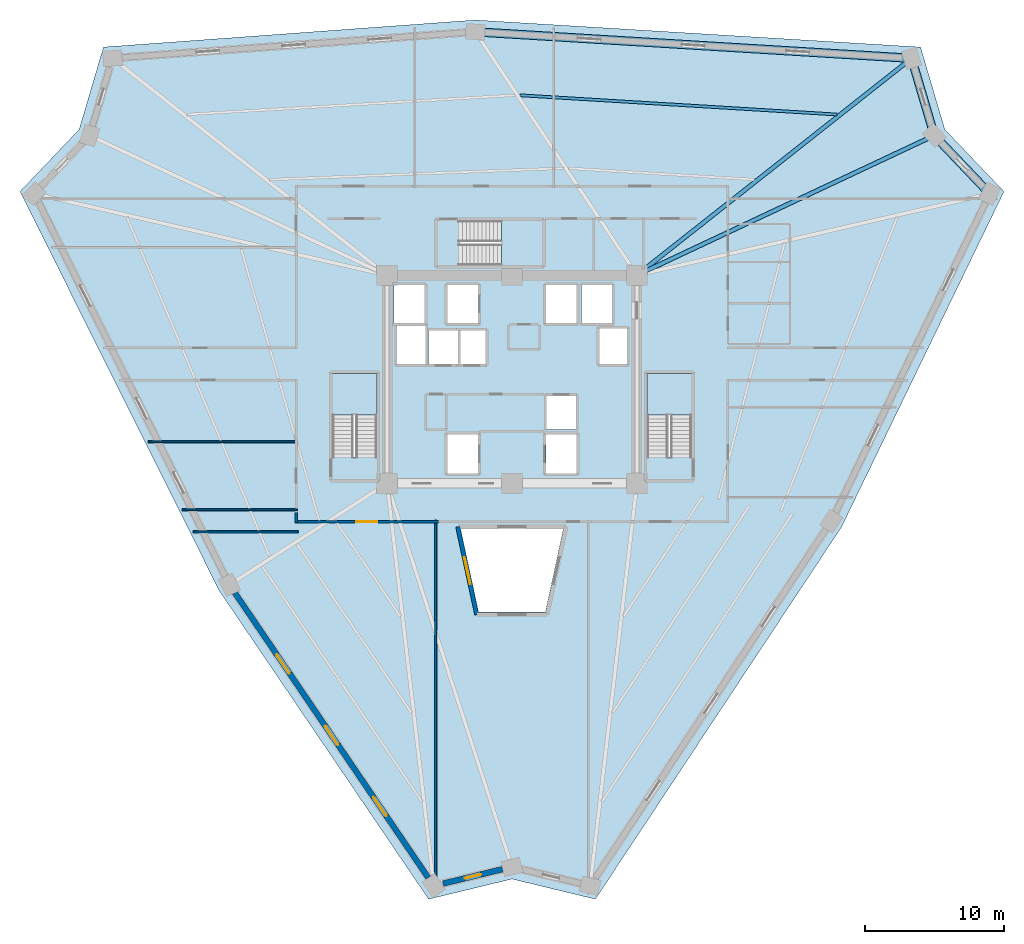
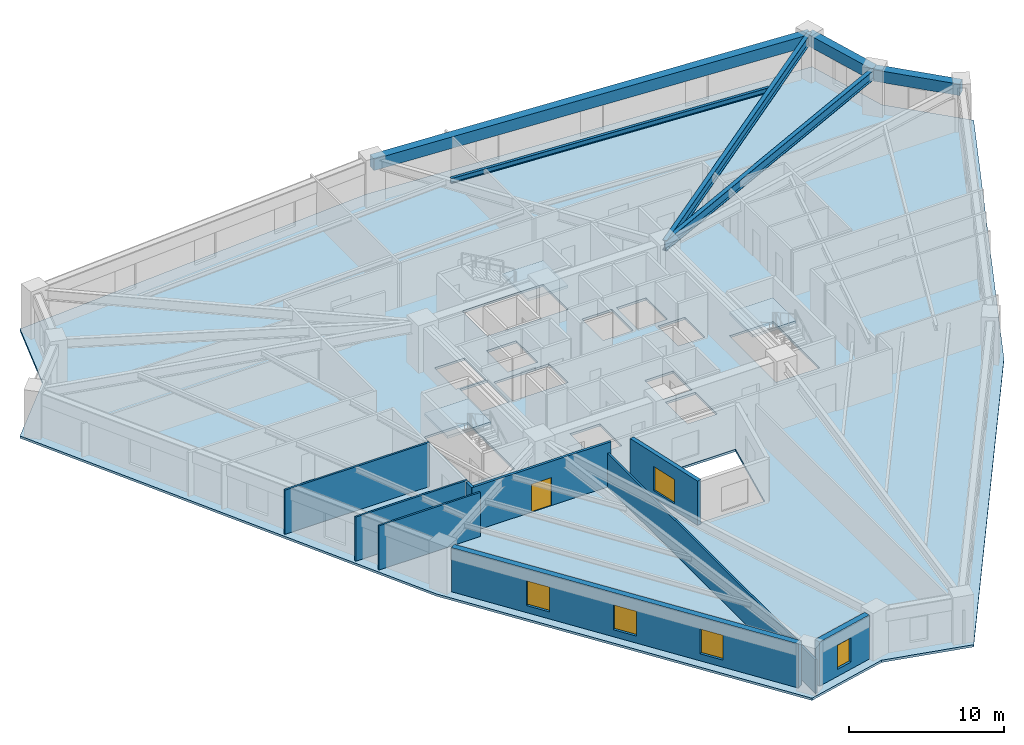
# One storey, part 2 of 8: 9 walls, 6 beams, 5 windows, 4 slabs, 1 door, 6 openings, 3 elements without a shape of their own.
"""IFC4 building model written with IfcOpenShell, lengths in metres."""

from ifc_helpers import new_model, si_unit, direction, frame, frame_2d, origin, origin_2d, place, context, subcontext, project, spatial, polyline, rectangle, i_section, outline, extrude, source, transform, mapped, material, layer, layer_set, material_profile, profile_set, type_object, element, fill, aggregate, save


model = new_model("IFC4")

# Units and contexts
model_context = context("Model", 3, precision=1e-05, world=origin(), true_north=direction((0.0, 1.0)))
body_context = subcontext(model_context, "Body", "Model", "MODEL_VIEW")
ifc_project = project(units=[si_unit("LENGTHUNIT", "METRE"), si_unit("AREAUNIT", "SQUARE_METRE"), si_unit("VOLUMEUNIT", "CUBIC_METRE"), si_unit("PLANEANGLEUNIT", "RADIAN"), si_unit("MASSUNIT", "GRAM", prefix="KILO")], contexts=[model_context])

# Site, building, storey
site_placement = place(None, origin())
site = spatial("IfcSite", under=ifc_project, at=site_placement, CompositionType="ELEMENT")
building_placement = place(site_placement, origin())
building = spatial("IfcBuilding", under=site, at=building_placement, Name="Liaohun Quay Tower", CompositionType="ELEMENT")
storey_placement = place(building_placement, frame((0.0, 0.0, 181.5)))
storey = spatial("IfcBuildingStorey", under=building, at=storey_placement, Name="L47", CompositionType="ELEMENT", Elevation=181.5)

# Beams
ifc_material_1 = material(Name="Steel Q355D", Category="steel")
ifc_material_profile_1 = material_profile(ifc_material_1, i_section(OverallWidth=0.300048828125, OverallDepth=0.75, WebThickness=0.013916015625, FlangeThickness=0.02587890625, at=origin_2d()), Name="HN750x300x14x26")
ifc_profile_set_1 = profile_set([ifc_material_profile_1], Name="Steel Q355D")
beam_type_1 = type_object("IfcBeamType", Name="BM-RAD-M2", PredefinedType="BEAM", material=ifc_profile_set_1)
shared_shape_1 = source(origin(), body_context, "Body", "SweptSolid", [
    extrude(i_section(OverallWidth=0.300048828125, OverallDepth=0.75, WebThickness=0.013916015625, FlangeThickness=0.02587890625, at=origin_2d()), origin(), (0.0, 0.0, 1.0), 23.674072265625),
])
beam_1_placement = place(storey_placement, frame((69.0, 61.5, 3.094970703125), z_axis=(0.905085425075, 0.42522978884, 0.0), x_axis=(-0.42522978884, 0.905085425075, 0.0)))
element("IfcBeam", 1, at=beam_1_placement, inside=storey, type_object=beam_type_1, Name="L47 Radial Primary Girder CC4-PC08", PredefinedType="BEAM", context=body_context, shape_type="MappedRepresentation", body=[
    mapped(shared_shape_1, transform((0.0, 0.0, 0.0), x_axis=(1.0, 0.0, 0.0), y_axis=(0.0, 1.0, 0.0), z_axis=(0.0, 0.0, 1.0), scale=1.0)),
])
ifc_material_profile_2 = material_profile(ifc_material_1, i_section(OverallWidth=0.300048828125, OverallDepth=0.800048828125, WebThickness=0.013916015625, FlangeThickness=0.02587890625, at=origin_2d()), Name="HN800x300x14x26")
ifc_profile_set_2 = profile_set([ifc_material_profile_2], Name="Steel Q355D")
beam_type_2 = type_object("IfcBeamType", Name="BM-RAD-M1", PredefinedType="BEAM", material=ifc_profile_set_2)
shared_shape_2 = source(origin(), body_context, "Body", "SweptSolid", [
    extrude(i_section(OverallWidth=0.300048828125, OverallDepth=0.800048828125, WebThickness=0.013916015625, FlangeThickness=0.02587890625, at=origin_2d()), origin(), (0.0, 0.0, 1.0), 25.212646484375),
])
beam_2_placement = place(storey_placement, frame((69.0, 61.5, 3.070068359375), z_axis=(0.784847071692, 0.6196894981, 0.0), x_axis=(-0.6196894981, 0.784847071692, 0.0)))
element("IfcBeam", 2, at=beam_2_placement, inside=storey, type_object=beam_type_2, Name="L47 Radial Primary Girder CC4-PC07", PredefinedType="BEAM", context=body_context, shape_type="MappedRepresentation", body=[
    mapped(shared_shape_2, transform((0.0, 0.0, 0.0), x_axis=(1.0, 0.0, 0.0), y_axis=(0.0, 1.0, 0.0), z_axis=(0.0, 0.0, 1.0), scale=1.0)),
])
ifc_material_profile_3 = material_profile(ifc_material_1, i_section(OverallWidth=0.199951171875, OverallDepth=0.39990234375, WebThickness=0.008056640625, FlangeThickness=0.012939453125, at=origin_2d()), Name="HN400x200x8x13")
ifc_profile_set_3 = profile_set([ifc_material_profile_3], Name="Steel Q355D")
beam_type_3 = type_object("IfcBeamType", Name="BM-SEC-J2", PredefinedType="JOIST", material=ifc_profile_set_3)
shared_shape_3 = source(origin(), body_context, "Body", "SweptSolid", [
    extrude(i_section(OverallWidth=0.199951171875, OverallDepth=0.39990234375, WebThickness=0.008056640625, FlangeThickness=0.012939453125, at=origin_2d()), origin(), (0.0, 0.0, 1.0), 22.88916015625),
])
beam_3_placement = place(storey_placement, frame((60.571044921875, 74.462890625, 3.27001953125), z_axis=(0.998159840222, -0.060637722312, 0.0), x_axis=(0.060637722312, 0.998159840222, 0.0)))
element("IfcBeam", 3, at=beam_3_placement, inside=storey, type_object=beam_type_3, Name="L47 Wing Secondary Floor Joist SJ-09", PredefinedType="JOIST", context=body_context, shape_type="MappedRepresentation", body=[
    mapped(shared_shape_3, transform((0.0, 0.0, 0.0), x_axis=(1.0, 0.0, 0.0), y_axis=(0.0, 1.0, 0.0), z_axis=(0.0, 0.0, 1.0), scale=1.0)),
])
ifc_material_2 = material(Name="Precast concrete C55", Category="concrete")
ifc_material_profile_4 = material_profile(ifc_material_2, rectangle(XDim=0.60009765625, YDim=0.89990234375, at=origin_2d()), Name="RC600x900")
ifc_profile_set_4 = profile_set([ifc_material_profile_4], Name="Precast concrete C55")
beam_type_4 = type_object("IfcBeamType", Name="BM-SPD-Z2", PredefinedType="SPANDREL", material=ifc_profile_set_4)
shared_shape_4 = source(origin(), body_context, "Body", "SweptSolid", [
    extrude(rectangle(XDim=0.60009765625, YDim=0.89990234375, at=origin_2d()), origin(), (0.0, 0.0, 1.0), 31.489990234375),
])
beam_4_placement = place(storey_placement, frame((57.35595703125, 79.032958984375, 3.02001953125), z_axis=(0.998160898974, -0.060620291652, 0.0), x_axis=(0.060620291652, 0.998160898974, 0.0)))
element("IfcBeam", 4, at=beam_4_placement, inside=storey, type_object=beam_type_4, Name="L47 Precast Spandrel Beam PC06-PC07", PredefinedType="SPANDREL", context=body_context, shape_type="MappedRepresentation", body=[
    mapped(shared_shape_4, transform((0.0, 0.0, 0.0), x_axis=(1.0, 0.0, 0.0), y_axis=(0.0, 1.0, 0.0), z_axis=(0.0, 0.0, 1.0), scale=1.0)),
])
shared_shape_5 = source(origin(), body_context, "Body", "SweptSolid", [
    extrude(rectangle(XDim=0.60009765625, YDim=0.89990234375, at=origin_2d()), origin(), (0.0, 0.0, 1.0), 5.793701171875),
])
beam_5_placement = place(storey_placement, frame((88.7880859375, 77.1240234375, 3.02001953125), z_axis=(0.282875757191, -0.959156559688, 0.0), x_axis=(0.959156559688, 0.282875757191, 0.0)))
element("IfcBeam", 5, at=beam_5_placement, inside=storey, type_object=beam_type_4, Name="L47 Precast Spandrel Beam PC07-PC08", PredefinedType="SPANDREL", context=body_context, shape_type="MappedRepresentation", body=[
    mapped(shared_shape_5, transform((0.0, 0.0, 0.0), x_axis=(1.0, 0.0, 0.0), y_axis=(0.0, 1.0, 0.0), z_axis=(0.0, 0.0, 1.0), scale=1.0)),
])
shared_shape_6 = source(origin(), body_context, "Body", "SweptSolid", [
    extrude(rectangle(XDim=0.60009765625, YDim=0.89990234375, at=origin_2d()), origin(), (0.0, 0.0, 1.0), 5.800048828125),
])
beam_6_placement = place(storey_placement, frame((90.427001953125, 71.56689453125, 3.02001953125), z_axis=(0.689314548472, -0.724462182081, 0.0), x_axis=(0.724462182081, 0.689314548472, 0.0)))
element("IfcBeam", 6, at=beam_6_placement, inside=storey, type_object=beam_type_4, Name="L47 Precast Spandrel Beam PC08-PC09", PredefinedType="SPANDREL", context=body_context, shape_type="MappedRepresentation", body=[
    mapped(shared_shape_6, transform((0.0, 0.0, 0.0), x_axis=(1.0, 0.0, 0.0), y_axis=(0.0, 1.0, 0.0), z_axis=(0.0, 0.0, 1.0), scale=1.0)),
])

# Stair, slab
ifc_material_3 = material(Name="Concrete C45", Category="concrete")
stair_type = type_object("IfcStairType", Name="STR-CORE-OFF", PredefinedType="HALF_TURN_STAIR", material=ifc_material_3)
stair_1_placement = place(storey_placement, origin())
stair_1 = element("IfcStair", 7, at=stair_1_placement, inside=storey, type_object=stair_type, Name="L47 Smokeproof Core Exit Stair ST-1", PredefinedType="HALF_TURN_STAIR")
ifc_layer_1 = layer(ifc_material_3, 0.199951171875, Name="Concrete C45", Category="concrete")
ifc_layer_set_1 = layer_set([ifc_layer_1], Name="Concrete C45")
slab_type_1 = type_object("IfcSlabType", Name="SLB-LND-200", PredefinedType="LANDING", material=ifc_layer_set_1)
slab_1_placement = place(storey_placement, frame((0.0, 0.0, 1.675048828125)))
slab_1 = element("IfcSlab", 8, at=slab_1_placement, type_object=slab_type_1, Name="ST-1 landing 1", PredefinedType="LANDING", context=body_context, shape_type="SweptSolid", body=[
    extrude(outline(polyline([(50.280029296875, 51.429931640625), (50.280029296875, 54.419921875), (47.0400390625, 54.419921875), (47.0400390625, 51.429931640625), (50.280029296875, 51.429931640625)])), origin(), (0.0, 0.0, 1.0), 0.199951171875),
])
aggregate(stair_1, [slab_1])

stair_2_placement = place(storey_placement, origin())
stair_2 = element("IfcStair", 9, at=stair_2_placement, inside=storey, type_object=stair_type, Name="L47 Smokeproof Core Exit Stair ST-2", PredefinedType="HALF_TURN_STAIR")
slab_2_placement = place(storey_placement, frame((0.0, 0.0, 1.675048828125)))
slab_2 = element("IfcSlab", 10, at=slab_2_placement, type_object=slab_type_1, Name="ST-2 landing 1", PredefinedType="LANDING", context=body_context, shape_type="SweptSolid", body=[
    extrude(outline(polyline([(72.9599609375, 51.429931640625), (72.9599609375, 54.419921875), (69.719970703125, 54.419921875), (69.719970703125, 51.429931640625), (72.9599609375, 51.429931640625)])), origin(), (0.0, 0.0, 1.0), 0.199951171875),
])
aggregate(stair_2, [slab_2])

stair_3_placement = place(storey_placement, origin())
stair_3 = element("IfcStair", 11, at=stair_3_placement, inside=storey, type_object=stair_type, Name="L47 Smokeproof Core Exit Stair ST-3", PredefinedType="HALF_TURN_STAIR")
slab_3_placement = place(storey_placement, frame((0.0, 0.0, 1.675048828125)))
slab_3 = element("IfcSlab", 12, at=slab_3_placement, type_object=slab_type_1, Name="ST-3 landing 1", PredefinedType="LANDING", context=body_context, shape_type="SweptSolid", body=[
    extrude(outline(polyline([(59.22998046875, 62.199951171875), (62.219970703125, 62.199951171875), (62.219970703125, 65.43994140625), (59.22998046875, 65.43994140625), (59.22998046875, 62.199951171875)])), origin(), (0.0, 0.0, 1.0), 0.199951171875),
])
aggregate(stair_3, [slab_3])

# Slab
ifc_layer_2 = layer(ifc_material_3, 0.179931640625, Name="Concrete C45", Category="concrete")
ifc_layer_set_2 = layer_set([ifc_layer_2], Name="Concrete C45")
slab_type_2 = type_object("IfcSlabType", Name="SLB-OFF-180", PredefinedType="FLOOR", material=ifc_layer_set_2)
slab_4_placement = place(storey_placement, frame((0.0, 0.0, -0.179931640625)))
element("IfcSlab", 13, at=slab_4_placement, inside=storey, type_object=slab_type_2, Name="L47 Structural Floor Slab", PredefinedType="FLOOR", context=body_context, shape_type="SweptSolid", body=[
    extrude(outline(polyline([(53.989013671875, 16.5400390625), (60.0, 17.991943359375), (66.010986328125, 16.5400390625), (83.741943359375, 43.35205078125), (95.447021484375, 67.52392578125), (91.18408203125, 72.00390625), (89.43505859375, 77.93603515625), (57.35107421875, 79.885009765625), (30.56494140625, 77.93603515625), (28.81591796875, 72.00390625), (24.552978515625, 67.52392578125), (38.906982421875, 38.762939453125), (53.989013671875, 16.5400390625)]), holes=[polyline([(57.56005859375, 50.030029296875), (55.340087890625, 50.030029296875), (55.340087890625, 47.2099609375), (57.56005859375, 47.2099609375), (57.56005859375, 50.030029296875)]), polyline([(50.280029296875, 54.419921875), (47.0400390625, 54.419921875), (47.0400390625, 48.409912109375), (50.280029296875, 48.409912109375), (50.280029296875, 54.419921875)]), polyline([(53.989990234375, 55.090087890625), (58.110107421875, 55.090087890625), (58.110107421875, 57.510009765625), (53.989990234375, 57.510009765625), (53.989990234375, 55.090087890625)]), polyline([(53.760009765625, 55.090087890625), (53.760009765625, 57.909912109375), (51.7099609375, 57.909912109375), (51.7099609375, 55.090087890625), (53.760009765625, 55.090087890625)]), polyline([(53.7099609375, 58.0400390625), (53.7099609375, 60.7900390625), (51.489990234375, 60.7900390625), (51.489990234375, 58.0400390625), (53.7099609375, 58.0400390625)]), polyline([(57.56005859375, 58.0400390625), (57.56005859375, 60.7900390625), (55.340087890625, 60.7900390625), (55.340087890625, 58.0400390625), (57.56005859375, 58.0400390625)]), polyline([(62.219970703125, 62.199951171875), (62.219970703125, 65.43994140625), (56.2099609375, 65.43994140625), (56.2099609375, 62.199951171875), (62.219970703125, 62.199951171875)]), polyline([(62.402099609375, 37.216064453125), (63.696044921875, 43.199951171875), (56.303955078125, 43.199951171875), (57.597900390625, 37.216064453125), (62.402099609375, 37.216064453125)]), polyline([(64.659912109375, 47.2099609375), (64.659912109375, 50.030029296875), (62.43994140625, 50.030029296875), (62.43994140625, 47.2099609375), (64.659912109375, 47.2099609375)]), polyline([(72.9599609375, 54.419921875), (69.719970703125, 54.419921875), (69.719970703125, 48.409912109375), (72.9599609375, 48.409912109375), (72.9599609375, 54.419921875)]), polyline([(64.610107421875, 50.389892578125), (64.610107421875, 52.81005859375), (62.489990234375, 52.81005859375), (62.489990234375, 50.389892578125), (64.610107421875, 50.389892578125)]), polyline([(68.2900390625, 55.090087890625), (68.2900390625, 57.659912109375), (66.2900390625, 57.659912109375), (66.2900390625, 55.090087890625), (68.2900390625, 55.090087890625)]), polyline([(64.659912109375, 58.0400390625), (64.659912109375, 60.7900390625), (62.43994140625, 60.7900390625), (62.43994140625, 58.0400390625), (64.659912109375, 58.0400390625)]), polyline([(67.2099609375, 58.0400390625), (67.2099609375, 60.7900390625), (64.989990234375, 60.7900390625), (64.989990234375, 58.0400390625), (67.2099609375, 58.0400390625)])]), origin(), (0.0, 0.0, 1.0), 0.179931640625),
])

# Wall, opening, window
ifc_material_4 = material(Name="Concrete C50", Category="concrete")
ifc_layer_3 = layer(ifc_material_4, 0.300048828125, Name="Concrete C50", Category="concrete")
ifc_layer_set_3 = layer_set([ifc_layer_3], Name="Concrete C50")
wall_type_1 = type_object("IfcWallType", Name="WAL-ATR-300", PredefinedType="SOLIDWALL", material=ifc_layer_set_3)
wall_1_placement = place(storey_placement, frame((57.4609375, 37.0458984375, 0.0), z_axis=(0.0, 0.0, 1.0), x_axis=(-0.211409755765, 0.977397521568, 0.0)))
wall_1 = element("IfcWall", 14, at=wall_1_placement, inside=storey, type_object=wall_type_1, Name="L47 Atrium Fire Compartment Wall 1", PredefinedType="SOLIDWALL", context=body_context, shape_type="SweptSolid", body=[
    extrude(rectangle(XDim=6.470458984375, YDim=0.300048828125, at=frame_2d((3.2353515625, 0.0))), origin(), (0.0, 0.0, 1.0), 3.469970703125),
])
shared_shape_7 = source(origin(), body_context, "Body", "SweptSolid", [
    extrude(rectangle(XDim=2.0, YDim=1.89990234375, at=frame_2d((1.0, 0.949951171875))), frame((0.0, 0.159912109375, 0.0), z_axis=(0.0, -1.0, 0.0), x_axis=(1.0, 0.0, 0.0)), (0.0, 0.0, 1.0), 0.320068359375),
])
opening_1_placement = place(wall_1_placement, frame((2.235107421875, 0.0, 0.550048828125)))
opening_1 = element("IfcOpeningElement", 15, at=opening_1_placement, cuts=wall_1, Name="Opening W07", PredefinedType="OPENING", context=body_context, shape_type="MappedRepresentation", body=[
    mapped(shared_shape_7, transform((0.0, 0.0, 0.0), x_axis=(1.0, 0.0, 0.0), y_axis=(0.0, 1.0, 0.0), z_axis=(0.0, 0.0, 1.0), scale=1.0)),
])
ifc_material_5 = material(Name="Class A 180-min fire-resistant insulated glazing", Category="glass")
window_type_1 = type_object("IfcWindowType", Name="WIN-ATR-FIR", PartitioningType="DOUBLE_PANEL_VERTICAL", PredefinedType="WINDOW", material=ifc_material_5)
shared_shape_8 = source(origin(), body_context, "Body", "SweptSolid", [
    extrude(rectangle(XDim=2.0, YDim=1.89990234375, at=frame_2d((1.0, 0.949951171875))), frame((0.0, 0.030029296875, 0.0), z_axis=(0.0, -1.0, 0.0), x_axis=(1.0, 0.0, 0.0)), (0.0, 0.0, 1.0), 0.06005859375),
])
window_1_placement = place(opening_1_placement, origin())
window_1 = element("IfcWindow", 16, at=window_1_placement, inside=storey, type_object=window_type_1, Name="L47 Atrium Fire-Resistant Glazing W07-1", OverallHeight=1.89990234375, OverallWidth=2.0, PartitioningType="DOUBLE_PANEL_VERTICAL", PredefinedType="WINDOW", context=body_context, shape_type="MappedRepresentation", body=[
    mapped(shared_shape_8, transform((0.0, 0.0, 0.0), x_axis=(1.0, 0.0, 0.0), y_axis=(0.0, 1.0, 0.0), z_axis=(0.0, 0.0, 1.0), scale=1.0)),
])
fill(opening_1, window_1)

# Wall, openings, windows
ifc_material_6 = material(Name="Precast concrete C50 insulated sandwich", Category="concrete")
ifc_layer_4 = layer(ifc_material_6, 0.419921875, Name="Precast concrete C50 insulated sandwich", Category="concrete")
ifc_layer_set_4 = layer_set([ifc_layer_4], Name="Precast concrete C50 insulated sandwich")
wall_type_2 = type_object("IfcWallType", Name="WAL-EXT-Z12", PredefinedType="SOLIDWALL", material=ifc_layer_set_4)
wall_2_placement = place(storey_placement, frame((40.029052734375, 38.6220703125, 0.0), z_axis=(0.0, 0.0, 1.0), x_axis=(0.561593975114, -0.827412960447, 0.0)))
wall_2 = element("IfcWall", 17, at=wall_2_placement, inside=storey, type_object=wall_type_2, Name="L47 Brutalist Precast Pier Wall 11", PredefinedType="SOLIDWALL", context=body_context, shape_type="SweptSolid", body=[
    extrude(rectangle(XDim=24.8330078125, YDim=0.419921875, at=frame_2d((12.41650390625, 0.0))), origin(), (0.0, 0.0, 1.0), 3.469970703125),
])
shared_shape_9 = source(origin(), body_context, "Body", "SweptSolid", [
    extrude(rectangle(XDim=1.64990234375, YDim=1.949951171875, at=frame_2d((0.824951171875, 0.97509765625))), frame((0.0, 0.219970703125, 0.0), z_axis=(0.0, -1.0, 0.0), x_axis=(1.0, 0.0, 0.0)), (0.0, 0.0, 1.0), 0.43994140625),
])
opening_2_placement = place(wall_2_placement, frame((5.383056640625, 0.0, 0.550048828125)))
opening_2 = element("IfcOpeningElement", 18, at=opening_2_placement, cuts=wall_2, Name="Opening W02", PredefinedType="OPENING", context=body_context, shape_type="MappedRepresentation", body=[
    mapped(shared_shape_9, transform((0.0, 0.0, 0.0), x_axis=(1.0, 0.0, 0.0), y_axis=(0.0, 1.0, 0.0), z_axis=(0.0, 0.0, 1.0), scale=1.0)),
])
opening_3_placement = place(wall_2_placement, frame((11.591064453125, 0.0, 0.550048828125)))
opening_3 = element("IfcOpeningElement", 19, at=opening_3_placement, cuts=wall_2, Name="Opening W02", PredefinedType="OPENING", context=body_context, shape_type="MappedRepresentation", body=[
    mapped(shared_shape_9, transform((0.0, 0.0, 0.0), x_axis=(1.0, 0.0, 0.0), y_axis=(0.0, 1.0, 0.0), z_axis=(0.0, 0.0, 1.0), scale=1.0)),
])
opening_4_placement = place(wall_2_placement, frame((17.800048828125, 0.0, 0.550048828125)))
opening_4 = element("IfcOpeningElement", 20, at=opening_4_placement, cuts=wall_2, Name="Opening W02", PredefinedType="OPENING", context=body_context, shape_type="MappedRepresentation", body=[
    mapped(shared_shape_9, transform((0.0, 0.0, 0.0), x_axis=(1.0, 0.0, 0.0), y_axis=(0.0, 1.0, 0.0), z_axis=(0.0, 0.0, 1.0), scale=1.0)),
])
ifc_material_7 = material(Name="Triple Low-E argon glazing in thermally broken aluminium", Category="aluminium")
window_type_2 = type_object("IfcWindowType", Name="WIN-PUN-Z2", PartitioningType="DOUBLE_PANEL_VERTICAL", PredefinedType="WINDOW", material=ifc_material_7)
shared_shape_10 = source(origin(), body_context, "Body", "SweptSolid", [
    extrude(rectangle(XDim=1.64990234375, YDim=1.949951171875, at=frame_2d((0.824951171875, 0.97509765625))), frame((0.0, 0.030029296875, 0.0), z_axis=(0.0, -1.0, 0.0), x_axis=(1.0, 0.0, 0.0)), (0.0, 0.0, 1.0), 0.06005859375),
])
window_2_placement = place(opening_2_placement, origin())
window_2 = element("IfcWindow", 21, at=window_2_placement, inside=storey, type_object=window_type_2, Name="L47 Recessed Cold-Climate Punched Window 11-1", OverallHeight=1.949951171875, OverallWidth=1.64990234375, PartitioningType="DOUBLE_PANEL_VERTICAL", PredefinedType="WINDOW", context=body_context, shape_type="MappedRepresentation", body=[
    mapped(shared_shape_10, transform((0.0, 0.0, 0.0), x_axis=(1.0, 0.0, 0.0), y_axis=(0.0, 1.0, 0.0), z_axis=(0.0, 0.0, 1.0), scale=1.0)),
])
fill(opening_2, window_2)
window_3_placement = place(opening_3_placement, origin())
window_3 = element("IfcWindow", 22, at=window_3_placement, inside=storey, type_object=window_type_2, Name="L47 Recessed Cold-Climate Punched Window 11-2", OverallHeight=1.949951171875, OverallWidth=1.64990234375, PartitioningType="DOUBLE_PANEL_VERTICAL", PredefinedType="WINDOW", context=body_context, shape_type="MappedRepresentation", body=[
    mapped(shared_shape_10, transform((0.0, 0.0, 0.0), x_axis=(1.0, 0.0, 0.0), y_axis=(0.0, 1.0, 0.0), z_axis=(0.0, 0.0, 1.0), scale=1.0)),
])
fill(opening_3, window_3)
window_4_placement = place(opening_4_placement, origin())
window_4 = element("IfcWindow", 23, at=window_4_placement, inside=storey, type_object=window_type_2, Name="L47 Recessed Cold-Climate Punched Window 11-3", OverallHeight=1.949951171875, OverallWidth=1.64990234375, PartitioningType="DOUBLE_PANEL_VERTICAL", PredefinedType="WINDOW", context=body_context, shape_type="MappedRepresentation", body=[
    mapped(shared_shape_10, transform((0.0, 0.0, 0.0), x_axis=(1.0, 0.0, 0.0), y_axis=(0.0, 1.0, 0.0), z_axis=(0.0, 0.0, 1.0), scale=1.0)),
])
fill(opening_4, window_4)

# Wall, opening, window
wall_3_placement = place(storey_placement, frame((55.032958984375, 17.666015625, 0.0), z_axis=(0.0, 0.0, 1.0), x_axis=(0.972026135821, 0.234872712935, 0.0)))
wall_3 = element("IfcWall", 24, at=wall_3_placement, inside=storey, type_object=wall_type_2, Name="L47 Brutalist Precast Pier Wall 12", PredefinedType="SOLIDWALL", context=body_context, shape_type="SweptSolid", body=[
    extrude(rectangle(XDim=4.419677734375, YDim=0.419921875, at=frame_2d((2.2099609375, 0.0))), origin(), (0.0, 0.0, 1.0), 3.469970703125),
])
shared_shape_11 = source(origin(), body_context, "Body", "SweptSolid", [
    extrude(rectangle(XDim=1.199951171875, YDim=1.89990234375, at=frame_2d((0.60009765625, 0.949951171875))), frame((0.0, 0.219970703125, 0.0), z_axis=(0.0, -1.0, 0.0), x_axis=(1.0, 0.0, 0.0)), (0.0, 0.0, 1.0), 0.43994140625),
])
opening_5_placement = place(wall_3_placement, frame((1.610107421875, 0.0, 0.550048828125)))
opening_5 = element("IfcOpeningElement", 25, at=opening_5_placement, cuts=wall_3, Name="Opening W05", PredefinedType="OPENING", context=body_context, shape_type="MappedRepresentation", body=[
    mapped(shared_shape_11, transform((0.0, 0.0, 0.0), x_axis=(1.0, 0.0, 0.0), y_axis=(0.0, 1.0, 0.0), z_axis=(0.0, 0.0, 1.0), scale=1.0)),
])
ifc_material_8 = material(Name="Triple Low-E corner notch glazing", Category="glass")
window_type_3 = type_object("IfcWindowType", Name="WIN-NOTCH", PartitioningType="SINGLE_PANEL", PredefinedType="WINDOW", material=ifc_material_8)
shared_shape_12 = source(origin(), body_context, "Body", "SweptSolid", [
    extrude(rectangle(XDim=1.199951171875, YDim=1.89990234375, at=frame_2d((0.60009765625, 0.949951171875))), frame((0.0, 0.030029296875, 0.0), z_axis=(0.0, -1.0, 0.0), x_axis=(1.0, 0.0, 0.0)), (0.0, 0.0, 1.0), 0.06005859375),
])
window_5_placement = place(opening_5_placement, origin())
window_5 = element("IfcWindow", 26, at=window_5_placement, inside=storey, type_object=window_type_3, Name="L47 Corner Notch Window W05-12", OverallHeight=1.89990234375, OverallWidth=1.199951171875, PartitioningType="SINGLE_PANEL", PredefinedType="WINDOW", context=body_context, shape_type="MappedRepresentation", body=[
    mapped(shared_shape_12, transform((0.0, 0.0, 0.0), x_axis=(1.0, 0.0, 0.0), y_axis=(0.0, 1.0, 0.0), z_axis=(0.0, 0.0, 1.0), scale=1.0)),
])
fill(opening_5, window_5)

# Wall, opening, door
ifc_material_9 = material(Name="Autoclaved aerated concrete blockwork", Category="masonry")
ifc_layer_5 = layer(ifc_material_9, 0.179931640625, Name="Autoclaved aerated concrete blockwork", Category="masonry")
ifc_layer_set_5 = layer_set([ifc_layer_5], Name="Autoclaved aerated concrete blockwork")
wall_type_3 = type_object("IfcWallType", Name="WAL-PRT-COR", PredefinedType="PARTITIONING", material=ifc_layer_set_5)
wall_4_placement = place(storey_placement, frame((54.715087890625, 43.739990234375, 0.0), z_axis=(0.0, 0.0, 1.0), x_axis=(-1.0, 0.0, 0.0)))
wall_4 = element("IfcWall", 27, at=wall_4_placement, inside=storey, type_object=wall_type_3, Name="L47 Interior Partition Wall 019", PredefinedType="PARTITIONING", context=body_context, shape_type="SweptSolid", body=[
    extrude(rectangle(XDim=10.344970703125, YDim=0.179931640625, at=frame_2d((5.17236328125, 0.0))), origin(), (0.0, 0.0, 1.0), 3.469970703125),
])
shared_shape_13 = source(origin(), body_context, "Body", "SweptSolid", [
    extrude(rectangle(XDim=1.5, YDim=2.199951171875, at=frame_2d((0.75, 1.10009765625))), frame((0.0, 0.099853515625, 0.0), z_axis=(0.0, -1.0, 0.0), x_axis=(1.0, 0.0, 0.0)), (0.0, 0.0, 1.0), 0.199951171875),
])
opening_6_placement = place(wall_4_placement, frame((4.423095703125, 0.0, 0.0)))
opening_6 = element("IfcOpeningElement", 28, at=opening_6_placement, cuts=wall_4, Name="Opening OD2", PredefinedType="OPENING", context=body_context, shape_type="MappedRepresentation", body=[
    mapped(shared_shape_13, transform((0.0, 0.0, 0.0), x_axis=(1.0, 0.0, 0.0), y_axis=(0.0, 1.0, 0.0), z_axis=(0.0, 0.0, 1.0), scale=1.0)),
])
ifc_material_10 = material(Name="Acoustic oak veneer double door")
door_type = type_object("IfcDoorType", Name="DOR-OFF-1500", OperationType="DOUBLE_DOOR_SINGLE_SWING", PredefinedType="DOOR", material=ifc_material_10)
shared_shape_14 = source(origin(), body_context, "Body", "SweptSolid", [
    extrude(rectangle(XDim=1.5, YDim=2.199951171875, at=frame_2d((0.75, 1.10009765625))), frame((0.0, 0.02490234375, 0.0), z_axis=(0.0, -1.0, 0.0), x_axis=(1.0, 0.0, 0.0)), (0.0, 0.0, 1.0), 0.050048828125),
])
door_placement = place(opening_6_placement, origin())
door = element("IfcDoor", 29, at=door_placement, inside=storey, type_object=door_type, Name="L47 Records Archive Store 09 Door", OperationType="DOUBLE_DOOR_SINGLE_SWING", OverallHeight=2.199951171875, OverallWidth=1.5, PredefinedType="DOOR", context=body_context, shape_type="MappedRepresentation", body=[
    mapped(shared_shape_14, transform((0.0, 0.0, 0.0), x_axis=(1.0, 0.0, 0.0), y_axis=(0.0, 1.0, 0.0), z_axis=(0.0, 0.0, 1.0), scale=1.0)),
])
fill(opening_6, door)

# Walls
wall_5_placement = place(storey_placement, frame((44.43994140625, 43.669921875, 0.0), z_axis=(0.0, 0.0, 1.0), x_axis=(0.0, 1.0, 0.0)))
element("IfcWall", 30, at=wall_5_placement, inside=storey, type_object=wall_type_3, Name="L47 Interior Partition Wall 042", PredefinedType="PARTITIONING", context=body_context, shape_type="SweptSolid", body=[
    extrude(rectangle(XDim=0.715087890625, YDim=0.179931640625, at=frame_2d((0.357421875, 0.0))), origin(), (0.0, 0.0, 1.0), 3.469970703125),
])
ifc_material_11 = material(Name="Gypsum board on twin steel studs", Category="steel")
ifc_layer_6 = layer(ifc_material_11, 0.139892578125, Name="Gypsum board on twin steel studs", Category="steel")
ifc_layer_set_6 = layer_set([ifc_layer_6], Name="Gypsum board on twin steel studs")
wall_type_4 = type_object("IfcWallType", Name="WAL-PRT-OFF", PredefinedType="PARTITIONING", material=ifc_layer_set_6)
wall_6_placement = place(storey_placement, frame((44.60009765625, 43.0, 0.0), z_axis=(0.0, 0.0, 1.0), x_axis=(-1.0, 0.0, 0.0)))
element("IfcWall", 31, at=wall_6_placement, inside=storey, type_object=wall_type_4, Name="L47 Interior Partition Wall 045", PredefinedType="PARTITIONING", context=body_context, shape_type="SweptSolid", body=[
    extrude(rectangle(XDim=7.56201171875, YDim=0.139892578125, at=frame_2d((3.781005859375, 0.0))), origin(), (0.0, 0.0, 1.0), 3.469970703125),
])
wall_7_placement = place(storey_placement, frame((44.5400390625, 44.60009765625, 0.0), z_axis=(0.0, 0.0, 1.0), x_axis=(-1.0, 0.0, 0.0)))
element("IfcWall", 32, at=wall_7_placement, inside=storey, type_object=wall_type_4, Name="L47 Interior Partition Wall 046", PredefinedType="PARTITIONING", context=body_context, shape_type="SweptSolid", body=[
    extrude(rectangle(XDim=8.300048828125, YDim=0.139892578125, at=frame_2d((4.14990234375, 0.0))), origin(), (0.0, 0.0, 1.0), 3.469970703125),
])
wall_8_placement = place(storey_placement, frame((44.5400390625, 49.5, 0.0), z_axis=(0.0, 0.0, 1.0), x_axis=(-1.0, 0.0, 0.0)))
element("IfcWall", 33, at=wall_8_placement, inside=storey, type_object=wall_type_4, Name="L47 Interior Partition Wall 047", PredefinedType="PARTITIONING", context=body_context, shape_type="SweptSolid", body=[
    extrude(rectangle(XDim=10.74609375, YDim=0.139892578125, at=frame_2d((5.373046875, 0.0))), origin(), (0.0, 0.0, 1.0), 3.469970703125),
])
wall_9_placement = place(storey_placement, frame((54.5, 43.840087890625, 0.0), z_axis=(0.0, 0.0, 1.0), x_axis=(0.0, -1.0, 0.0)))
element("IfcWall", 34, at=wall_9_placement, inside=storey, type_object=wall_type_4, Name="L47 Interior Partition Wall 055", PredefinedType="PARTITIONING", context=body_context, shape_type="SweptSolid", body=[
    extrude(rectangle(XDim=26.9501953125, YDim=0.139892578125, at=frame_2d((13.47509765625, 0.0))), origin(), (0.0, 0.0, 1.0), 2.655029296875),
])

save(model, "model.ifc")
